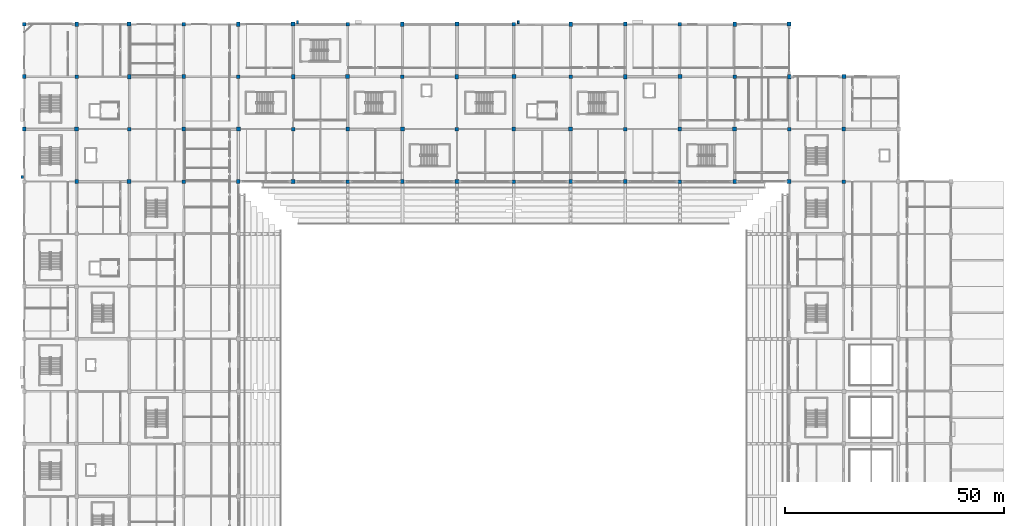
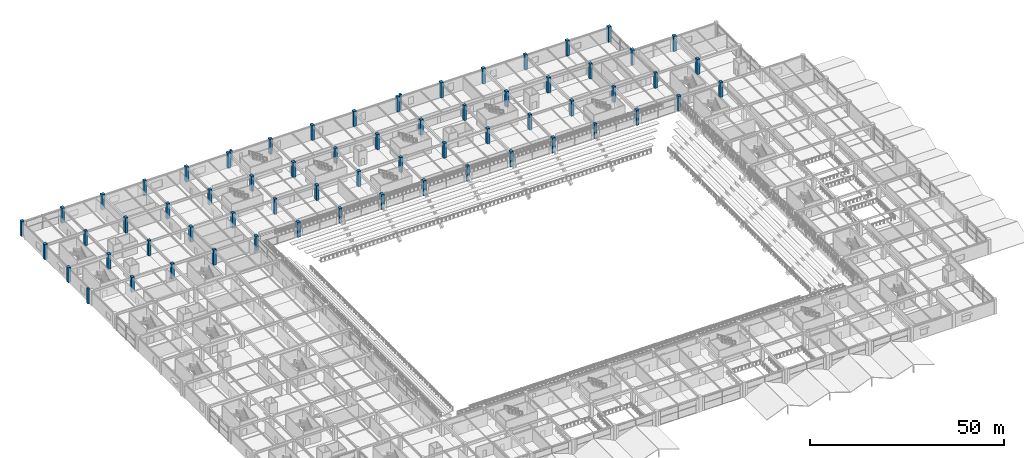
# One storey, part 3 of 134: 65 columns.
"""IFC4 building model written with IfcOpenShell, lengths in metres."""

from ifc_helpers import new_model, si_unit, direction, frame, origin, origin_2d, place, context, subcontext, project, spatial, rectangle, extrude, material, material_profile, profile_set, type_object, element, save


model = new_model("IFC4")

# Units and contexts
model_context = context("Model", 3, precision=1e-05, world=origin(), true_north=direction((0.0, 1.0)))
body_context = subcontext(model_context, "Body", "Model", "MODEL_VIEW")
ifc_project = project(units=[si_unit("LENGTHUNIT", "METRE"), si_unit("AREAUNIT", "SQUARE_METRE"), si_unit("VOLUMEUNIT", "CUBIC_METRE"), si_unit("PLANEANGLEUNIT", "RADIAN"), si_unit("MASSUNIT", "GRAM", prefix="KILO")], contexts=[model_context])

# Site, building, storey
site_placement = place(None, origin())
site = spatial("IfcSite", under=ifc_project, at=site_placement, CompositionType="ELEMENT")
building_placement = place(site_placement, origin())
building = spatial("IfcBuilding", under=site, at=building_placement, Name="Kazenohara Klinker Stadium", CompositionType="ELEMENT")
storey_placement = place(building_placement, frame((0.0, 0.0, 5.39990234375)))
storey = spatial("IfcBuildingStorey", under=building, at=storey_placement, Name="L01", CompositionType="ELEMENT", Elevation=5.39990234375)

# Columns
ifc_material = material(Name="Concrete C40/50", Category="concrete")
ifc_material_profile_1 = material_profile(ifc_material, rectangle(XDim=0.800048828125, YDim=1.0, at=origin_2d()), Name="RC-COL-1000x800")
ifc_profile_set_1 = profile_set([ifc_material_profile_1], Name="Concrete C40/50")
column_type_1 = type_object("IfcColumnType", Name="COL-RC03", PredefinedType="COLUMN", material=ifc_profile_set_1)
for number, where, z_axis, x_axis, name in (
    (1, (0.0, 144.0, 0.0), (0.0, 0.0, 1.0), (1.0, 0.0, 0.0), "Column C03 L01 1/N"),
    (2, (12.0, 132.0, 0.0), (0.0, 0.0, 1.0), (1.0, 0.0, 0.0), "Column C03 L01 2/M"),
    (3, (12.0, 168.0, 0.0), (0.0, 0.0, 1.0), (1.0, 0.0, 0.0), "Column C03 L01 2/Q"),
    (4, (24.0, 156.0, 0.0), (0.0, 0.0, 1.0), (1.0, 0.0, 0.0), "Column C03 L01 3/P"),
    (5, (36.5, 144.0, 0.0), (0.0, 0.0, 1.0), (1.0, 0.0, 0.0), "Column C03 L01 4/N"),
    (6, (49.0, 132.0, 0.0), (0.0, 0.0, 1.0), (1.0, 0.0, 0.0), "Column C03 L01 5/M"),
    (7, (49.0, 168.0, 0.0), (0.0, 0.0, 1.0), (1.0, 0.0, 0.0), "Column C03 L01 5/Q"),
    (8, (61.5, 156.0, 0.0), (0.0, 0.0, 1.0), (1.0, 0.0, 0.0), "Column C03 L01 6/P"),
    (9, (74.0, 144.0, 0.0), (0.0, 0.0, 1.0), (1.0, 0.0, 0.0), "Column C03 L01 7/N"),
    (10, (86.5, 132.0, 0.0), (0.0, 0.0, 1.0), (1.0, 0.0, 0.0), "Column C03 L01 8/M"),
    (11, (86.5, 168.0, 0.0), (0.0, 0.0, 1.0), (1.0, 0.0, 0.0), "Column C03 L01 8/Q"),
    (12, (99.0, 156.0, 0.0), (0.0, 0.0, 1.0), (1.0, 0.0, 0.0), "Column C03 L01 9/P"),
    (13, (112.0, 144.0, 0.0), (0.0, 0.0, 1.0), (1.0, 0.0, 0.0), "Column C03 L01 10/N"),
    (14, (125.0, 132.0, 0.0), (0.0, 0.0, 1.0), (1.0, 0.0, 0.0), "Column C03 L01 11/M"),
    (15, (125.0, 168.0, 0.0), (0.0, 0.0, 1.0), (1.0, 0.0, 0.0), "Column C03 L01 11/Q"),
    (16, (137.5, 156.0, 0.0), (0.0, 0.0, 1.0), (1.0, 0.0, 0.0), "Column C03 L01 12/P"),
    (17, (150.0, 144.0, 0.0), (0.0, 0.0, 1.0), (1.0, 0.0, 0.0), "Column C03 L01 13/N"),
    (18, (162.5, 132.0, 0.0), (0.0, 0.0, 1.0), (1.0, 0.0, 0.0), "Column C03 L01 14/M"),
    (19, (162.5, 168.0, 0.0), (0.0, 0.0, 1.0), (1.0, 0.0, 0.0), "Column C03 L01 14/Q"),
    (20, (175.0, 156.0, 0.0), (0.0, 0.0, 1.0), (1.0, 0.0, 0.0), "Column C03 L01 15/P"),
    (21, (187.5, 144.0, 0.0), (0.0, 0.0, 1.0), (1.0, 0.0, 0.0), "Column C03 L01 16/N"),
):
    element("IfcColumn", number, at=place(storey_placement, frame(where, z_axis=z_axis, x_axis=x_axis)), inside=storey, type_object=column_type_1, Name=name, PredefinedType="COLUMN", context=body_context, shape_type="SweptSolid", body=[
        extrude(rectangle(XDim=0.800048828125, YDim=1.0, at=origin_2d()), origin(), (0.0, 0.0, 1.0), 4.800048828125),
    ])
ifc_material_profile_2 = material_profile(ifc_material, rectangle(XDim=0.89990234375, YDim=0.89990234375, at=origin_2d()), Name="RC-COL-900x900")
ifc_profile_set_2 = profile_set([ifc_material_profile_2], Name="Concrete C40/50")
column_type_2 = type_object("IfcColumnType", Name="COL-RC04", PredefinedType="COLUMN", material=ifc_profile_set_2)
for number, where, z_axis, x_axis, name in (
    (22, (0.0, 156.0, 0.0), (0.0, 0.0, 1.0), (1.0, 0.0, 0.0), "Column C04 L01 1/P"),
    (23, (12.0, 144.0, 0.0), (0.0, 0.0, 1.0), (1.0, 0.0, 0.0), "Column C04 L01 2/N"),
    (24, (24.0, 132.0, 0.0), (0.0, 0.0, 1.0), (1.0, 0.0, 0.0), "Column C04 L01 3/M"),
    (25, (24.0, 168.0, 0.0), (0.0, 0.0, 1.0), (1.0, 0.0, 0.0), "Column C04 L01 3/Q"),
    (26, (36.5, 156.0, 0.0), (0.0, 0.0, 1.0), (1.0, 0.0, 0.0), "Column C04 L01 4/P"),
    (27, (49.0, 144.0, 0.0), (0.0, 0.0, 1.0), (1.0, 0.0, 0.0), "Column C04 L01 5/N"),
    (28, (61.5, 132.0, 0.0), (0.0, 0.0, 1.0), (1.0, 0.0, 0.0), "Column C04 L01 6/M"),
    (29, (61.5, 168.0, 0.0), (0.0, 0.0, 1.0), (1.0, 0.0, 0.0), "Column C04 L01 6/Q"),
    (30, (74.0, 156.0, 0.0), (0.0, 0.0, 1.0), (1.0, 0.0, 0.0), "Column C04 L01 7/P"),
    (31, (86.5, 144.0, 0.0), (0.0, 0.0, 1.0), (1.0, 0.0, 0.0), "Column C04 L01 8/N"),
    (32, (99.0, 132.0, 0.0), (0.0, 0.0, 1.0), (1.0, 0.0, 0.0), "Column C04 L01 9/M"),
    (33, (99.0, 168.0, 0.0), (0.0, 0.0, 1.0), (1.0, 0.0, 0.0), "Column C04 L01 9/Q"),
    (34, (112.0, 156.0, 0.0), (0.0, 0.0, 1.0), (1.0, 0.0, 0.0), "Column C04 L01 10/P"),
    (35, (125.0, 144.0, 0.0), (0.0, 0.0, 1.0), (1.0, 0.0, 0.0), "Column C04 L01 11/N"),
    (36, (137.5, 132.0, 0.0), (0.0, 0.0, 1.0), (1.0, 0.0, 0.0), "Column C04 L01 12/M"),
    (37, (137.5, 168.0, 0.0), (0.0, 0.0, 1.0), (1.0, 0.0, 0.0), "Column C04 L01 12/Q"),
    (38, (150.0, 156.0, 0.0), (0.0, 0.0, 1.0), (1.0, 0.0, 0.0), "Column C04 L01 13/P"),
    (39, (162.5, 144.0, 0.0), (0.0, 0.0, 1.0), (1.0, 0.0, 0.0), "Column C04 L01 14/N"),
    (40, (175.0, 132.0, 0.0), (0.0, 0.0, 1.0), (1.0, 0.0, 0.0), "Column C04 L01 15/M"),
    (41, (175.0, 168.0, 0.0), (0.0, 0.0, 1.0), (1.0, 0.0, 0.0), "Column C04 L01 15/Q"),
    (42, (187.5, 156.0, 0.0), (0.0, 0.0, 1.0), (1.0, 0.0, 0.0), "Column C04 L01 16/P"),
):
    element("IfcColumn", number, at=place(storey_placement, frame(where, z_axis=z_axis, x_axis=x_axis)), inside=storey, type_object=column_type_2, Name=name, PredefinedType="COLUMN", context=body_context, shape_type="SweptSolid", body=[
        extrude(rectangle(XDim=0.89990234375, YDim=0.89990234375, at=origin_2d()), origin(), (0.0, 0.0, 1.0), 4.800048828125),
    ])
ifc_material_profile_3 = material_profile(ifc_material, rectangle(XDim=0.800048828125, YDim=0.800048828125, at=origin_2d()), Name="RC-COL-800x800")
ifc_profile_set_3 = profile_set([ifc_material_profile_3], Name="Concrete C40/50")
column_type_3 = type_object("IfcColumnType", Name="COL-RC05", PredefinedType="COLUMN", material=ifc_profile_set_3)
for number, where, z_axis, x_axis, name in (
    (43, (0.0, 168.0, 0.0), (0.0, 0.0, 1.0), (1.0, 0.0, 0.0), "Column C05 L01 1/Q"),
    (44, (12.0, 156.0, 0.0), (0.0, 0.0, 1.0), (1.0, 0.0, 0.0), "Column C05 L01 2/P"),
    (45, (24.0, 144.0, 0.0), (0.0, 0.0, 1.0), (1.0, 0.0, 0.0), "Column C05 L01 3/N"),
    (46, (36.5, 132.0, 0.0), (0.0, 0.0, 1.0), (1.0, 0.0, 0.0), "Column C05 L01 4/M"),
    (47, (36.5, 168.0, 0.0), (0.0, 0.0, 1.0), (1.0, 0.0, 0.0), "Column C05 L01 4/Q"),
    (48, (49.0, 156.0, 0.0), (0.0, 0.0, 1.0), (1.0, 0.0, 0.0), "Column C05 L01 5/P"),
    (49, (61.5, 144.0, 0.0), (0.0, 0.0, 1.0), (1.0, 0.0, 0.0), "Column C05 L01 6/N"),
    (50, (74.0, 132.0, 0.0), (0.0, 0.0, 1.0), (1.0, 0.0, 0.0), "Column C05 L01 7/M"),
    (51, (74.0, 168.0, 0.0), (0.0, 0.0, 1.0), (1.0, 0.0, 0.0), "Column C05 L01 7/Q"),
    (52, (86.5, 156.0, 0.0), (0.0, 0.0, 1.0), (1.0, 0.0, 0.0), "Column C05 L01 8/P"),
    (53, (99.0, 144.0, 0.0), (0.0, 0.0, 1.0), (1.0, 0.0, 0.0), "Column C05 L01 9/N"),
    (54, (112.0, 132.0, 0.0), (0.0, 0.0, 1.0), (1.0, 0.0, 0.0), "Column C05 L01 10/M"),
    (55, (112.0, 168.0, 0.0), (0.0, 0.0, 1.0), (1.0, 0.0, 0.0), "Column C05 L01 10/Q"),
    (56, (125.0, 156.0, 0.0), (0.0, 0.0, 1.0), (1.0, 0.0, 0.0), "Column C05 L01 11/P"),
    (57, (137.5, 144.0, 0.0), (0.0, 0.0, 1.0), (1.0, 0.0, 0.0), "Column C05 L01 12/N"),
    (58, (150.0, 132.0, 0.0), (0.0, 0.0, 1.0), (1.0, 0.0, 0.0), "Column C05 L01 13/M"),
    (59, (150.0, 168.0, 0.0), (0.0, 0.0, 1.0), (1.0, 0.0, 0.0), "Column C05 L01 13/Q"),
    (60, (162.5, 156.0, 0.0), (0.0, 0.0, 1.0), (1.0, 0.0, 0.0), "Column C05 L01 14/P"),
    (61, (175.0, 144.0, 0.0), (0.0, 0.0, 1.0), (1.0, 0.0, 0.0), "Column C05 L01 15/N"),
    (62, (187.5, 132.0, 0.0), (0.0, 0.0, 1.0), (1.0, 0.0, 0.0), "Column C05 L01 16/M"),
):
    element("IfcColumn", number, at=place(storey_placement, frame(where, z_axis=z_axis, x_axis=x_axis)), inside=storey, type_object=column_type_3, Name=name, PredefinedType="COLUMN", context=body_context, shape_type="SweptSolid", body=[
        extrude(rectangle(XDim=0.800048828125, YDim=0.800048828125, at=origin_2d()), origin(), (0.0, 0.0, 1.0), 4.800048828125),
    ])
ifc_material_profile_4 = material_profile(ifc_material, rectangle(XDim=0.449951171875, YDim=0.64990234375, at=origin_2d()), Name="RC-PILASTER-450x650")
ifc_profile_set_4 = profile_set([ifc_material_profile_4], Name="Concrete C40/50")
column_type_4 = type_object("IfcColumnType", Name="PIL-RC01", PredefinedType="PILASTER", material=ifc_profile_set_4)
column_placement = place(storey_placement, frame((113.050048828125, 168.449951171875, 0.0), z_axis=(0.0, 0.0, 1.0), x_axis=(1.0, 0.0, 0.0)))
element("IfcColumn", 63, at=column_placement, inside=storey, type_object=column_type_4, Name="Pleated facade pilaster PL01 L01 North-09", PredefinedType="PILASTER", context=body_context, shape_type="SweptSolid", body=[
    extrude(rectangle(XDim=0.449951171875, YDim=0.64990234375, at=origin_2d()), origin(), (0.0, 0.0, 1.0), 4.800048828125),
])
ifc_material_profile_5 = material_profile(ifc_material, rectangle(XDim=0.5, YDim=0.75, at=origin_2d()), Name="RC-PILASTER-500x750")
ifc_profile_set_5 = profile_set([ifc_material_profile_5], Name="Concrete C40/50")
column_type_5 = type_object("IfcColumnType", Name="PIL-RC02", PredefinedType="PILASTER", material=ifc_profile_set_5)
for number, where, z_axis, x_axis, name in (
    (64, (-0.449951171875, 133.050048828125, 0.0), (0.0, 0.0, 1.0), (1.0, 0.0, 0.0), "Pleated facade pilaster PL02 L01 West-11"),
    (65, (62.550048828125, 168.449951171875, 0.0), (0.0, 0.0, 1.0), (1.0, 0.0, 0.0), "Pleated facade pilaster PL02 L01 North-05"),
):
    element("IfcColumn", number, at=place(storey_placement, frame(where, z_axis=z_axis, x_axis=x_axis)), inside=storey, type_object=column_type_5, Name=name, PredefinedType="PILASTER", context=body_context, shape_type="SweptSolid", body=[
        extrude(rectangle(XDim=0.5, YDim=0.75, at=origin_2d()), origin(), (0.0, 0.0, 1.0), 4.800048828125),
    ])

save(model, "model.ifc")
